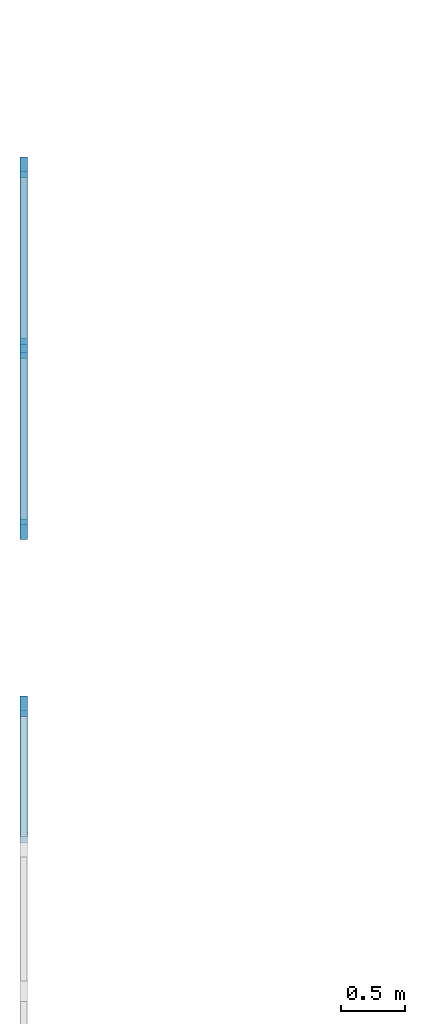
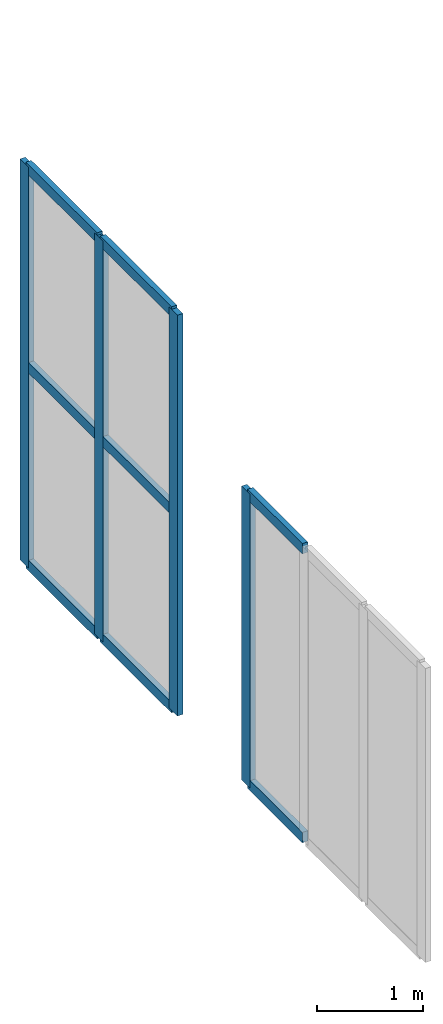
# One storey, part 3 of 31: 12 members, 2 elements without a shape of their own.
"""IFC4 building model written with IfcOpenShell, lengths in metres."""

from ifc_helpers import new_model, si_unit, direction, frame, origin, origin_2d, place, context, subcontext, project, spatial, rectangle, extrude, material, material_profile, profile_set, type_object, element, aggregate, save


model = new_model("IFC4")

# Units and contexts
model_context = context("Model", 3, precision=1e-05, world=origin(), true_north=direction((0.0, 1.0)))
body_context = subcontext(model_context, "Body", "Model", "MODEL_VIEW")
ifc_project = project(units=[si_unit("LENGTHUNIT", "METRE"), si_unit("AREAUNIT", "SQUARE_METRE"), si_unit("VOLUMEUNIT", "CUBIC_METRE"), si_unit("PLANEANGLEUNIT", "RADIAN"), si_unit("MASSUNIT", "GRAM", prefix="KILO")], contexts=[model_context])

# Site, building, storey
site_placement = place(None, origin())
site = spatial("IfcSite", under=ifc_project, at=site_placement, CompositionType="ELEMENT")
building_placement = place(site_placement, origin())
building = spatial("IfcBuilding", under=site, at=building_placement, Name="Vermilion Court Aquatics Centre", CompositionType="ELEMENT")
storey_placement = place(building_placement, frame((0.0, 0.0, 16.5)))
storey = spatial("IfcBuildingStorey", under=building, at=storey_placement, Name="L03", CompositionType="ELEMENT", Elevation=16.5)

# Curtain wall, member
ifc_material_1 = material(Name="Aluminium 6063-T5", Category="aluminium")
curtain_wall_type = type_object("IfcCurtainWallType", Name="Envelope curtain wall west gable upper runs", PredefinedType="NOTDEFINED", material=ifc_material_1)
curtain_wall_1_placement = place(storey_placement, origin())
curtain_wall_1 = element("IfcCurtainWall", 1, at=curtain_wall_1_placement, inside=storey, type_object=curtain_wall_type, Name="Gable glazing west 9.2", PredefinedType="NOTDEFINED")
ifc_material_2 = material(Name="Aluminium 6063-T5", Category="aluminium")
ifc_material_profile_1 = material_profile(ifc_material_2, rectangle(XDim=0.06005859375, YDim=0.159912109375, at=origin_2d()), Name="AL 60x160")
ifc_profile_set_1 = profile_set([ifc_material_profile_1], Name="Aluminium 6063-T5")
member_type_1 = type_object("IfcMemberType", Name="Envelope aluminium mullion 60x160", PredefinedType="MULLION", material=ifc_profile_set_1)
member_1_placement = place(storey_placement, frame((14.125, 54.35009765625, 0.0), z_axis=(0.0, 0.0, 1.0), x_axis=(-1.0, 0.0, 0.0)))
member_1 = element("IfcMember", 2, at=member_1_placement, type_object=member_type_1, Name="ECW4 mullion 4", PredefinedType="MULLION", context=body_context, shape_type="SweptSolid", body=[
    extrude(rectangle(XDim=0.06005859375, YDim=0.159912109375, at=origin_2d()), origin(), (0.0, 0.0, 1.0), 3.39990234375),
])

# Curtain wall, members
curtain_wall_2_placement = place(storey_placement, origin())
curtain_wall_2 = element("IfcCurtainWall", 3, at=curtain_wall_2_placement, inside=storey, type_object=curtain_wall_type, Name="Gable glazing west 10.2", PredefinedType="NOTDEFINED")
member_2_placement = place(storey_placement, frame((14.125, 55.72998046875, 0.0), z_axis=(0.0, 0.0, 1.0), x_axis=(-1.0, 0.0, 0.0)))
member_2 = element("IfcMember", 4, at=member_2_placement, type_object=member_type_1, Name="ECW4 mullion 1", PredefinedType="MULLION", context=body_context, shape_type="SweptSolid", body=[
    extrude(rectangle(XDim=0.06005859375, YDim=0.159912109375, at=origin_2d()), origin(), (0.0, 0.0, 1.0), 4.635009765625),
])
member_3_placement = place(storey_placement, frame((14.125, 57.139892578125, 0.0), z_axis=(0.0, 0.0, 1.0), x_axis=(-1.0, 0.0, 0.0)))
member_3 = element("IfcMember", 5, at=member_3_placement, type_object=member_type_1, Name="ECW4 mullion 2", PredefinedType="MULLION", context=body_context, shape_type="SweptSolid", body=[
    extrude(rectangle(XDim=0.06005859375, YDim=0.159912109375, at=origin_2d()), origin(), (0.0, 0.0, 1.0), 4.635009765625),
])
member_4_placement = place(storey_placement, frame((14.125, 58.550048828125, 0.0), z_axis=(0.0, 0.0, 1.0), x_axis=(-1.0, 0.0, 0.0)))
member_4 = element("IfcMember", 6, at=member_4_placement, type_object=member_type_1, Name="ECW4 mullion 3", PredefinedType="MULLION", context=body_context, shape_type="SweptSolid", body=[
    extrude(rectangle(XDim=0.06005859375, YDim=0.159912109375, at=origin_2d()), origin(), (0.0, 0.0, 1.0), 4.635009765625),
])

# Member
ifc_material_3 = material(Name="Aluminium 6063-T5", Category="aluminium")
ifc_material_profile_2 = material_profile(ifc_material_3, rectangle(XDim=0.06005859375, YDim=0.1201171875, at=origin_2d()), Name="AL 60x120")
ifc_profile_set_2 = profile_set([ifc_material_profile_2], Name="Aluminium 6063-T5")
member_type_2 = type_object("IfcMemberType", Name="Envelope aluminium transom 60x120", PredefinedType="USERDEFINED", material=ifc_profile_set_2)
member_5_placement = place(storey_placement, frame((14.125, 53.283447265625, 0.030029296875), z_axis=(0.0, 1.0, 0.0), x_axis=(-1.0, 0.0, 0.0)))
member_5 = element("IfcMember", 7, at=member_5_placement, type_object=member_type_2, Name="ECW4 transom 3.1", ObjectType="TRANSOM", PredefinedType="USERDEFINED", context=body_context, shape_type="SweptSolid", body=[
    extrude(rectangle(XDim=0.06005859375, YDim=0.1201171875, at=origin_2d()), origin(), (0.0, 0.0, 1.0), 1.03662109375),
])

member_6_placement = place(storey_placement, frame((14.125, 53.283447265625, 3.3701171875), z_axis=(0.0, 1.0, 0.0), x_axis=(-1.0, 0.0, 0.0)))
member_6 = element("IfcMember", 8, at=member_6_placement, type_object=member_type_2, Name="ECW4 transom 3.2", ObjectType="TRANSOM", PredefinedType="USERDEFINED", context=body_context, shape_type="SweptSolid", body=[
    extrude(rectangle(XDim=0.06005859375, YDim=0.1201171875, at=origin_2d()), origin(), (0.0, 0.0, 1.0), 1.03662109375),
])

aggregate(curtain_wall_1, [member_1, member_5, member_6])

member_7_placement = place(storey_placement, frame((14.125, 55.760009765625, 0.030029296875), z_axis=(0.0, 1.0, 0.0), x_axis=(-1.0, 0.0, 0.0)))
member_7 = element("IfcMember", 9, at=member_7_placement, type_object=member_type_2, Name="ECW4 transom 1.1", ObjectType="TRANSOM", PredefinedType="USERDEFINED", context=body_context, shape_type="SweptSolid", body=[
    extrude(rectangle(XDim=0.06005859375, YDim=0.1201171875, at=origin_2d()), origin(), (0.0, 0.0, 1.0), 1.35009765625),
])

member_8_placement = place(storey_placement, frame((14.125, 55.760009765625, 2.317626953125), z_axis=(0.0, 1.0, 0.0), x_axis=(-1.0, 0.0, 0.0)))
member_8 = element("IfcMember", 10, at=member_8_placement, type_object=member_type_2, Name="ECW4 transom 1.2", ObjectType="TRANSOM", PredefinedType="USERDEFINED", context=body_context, shape_type="SweptSolid", body=[
    extrude(rectangle(XDim=0.06005859375, YDim=0.1201171875, at=origin_2d()), origin(), (0.0, 0.0, 1.0), 1.35009765625),
])

member_9_placement = place(storey_placement, frame((14.125, 55.760009765625, 4.60498046875), z_axis=(0.0, 1.0, 0.0), x_axis=(-1.0, 0.0, 0.0)))
member_9 = element("IfcMember", 11, at=member_9_placement, type_object=member_type_2, Name="ECW4 transom 1.3", ObjectType="TRANSOM", PredefinedType="USERDEFINED", context=body_context, shape_type="SweptSolid", body=[
    extrude(rectangle(XDim=0.06005859375, YDim=0.1201171875, at=origin_2d()), origin(), (0.0, 0.0, 1.0), 1.35009765625),
])

member_10_placement = place(storey_placement, frame((14.125, 57.169921875, 0.030029296875), z_axis=(0.0, 1.0, 0.0), x_axis=(-1.0, 0.0, 0.0)))
member_10 = element("IfcMember", 12, at=member_10_placement, type_object=member_type_2, Name="ECW4 transom 2.1", ObjectType="TRANSOM", PredefinedType="USERDEFINED", context=body_context, shape_type="SweptSolid", body=[
    extrude(rectangle(XDim=0.06005859375, YDim=0.1201171875, at=origin_2d()), origin(), (0.0, 0.0, 1.0), 1.35009765625),
])

member_11_placement = place(storey_placement, frame((14.125, 57.169921875, 2.317626953125), z_axis=(0.0, 1.0, 0.0), x_axis=(-1.0, 0.0, 0.0)))
member_11 = element("IfcMember", 13, at=member_11_placement, type_object=member_type_2, Name="ECW4 transom 2.2", ObjectType="TRANSOM", PredefinedType="USERDEFINED", context=body_context, shape_type="SweptSolid", body=[
    extrude(rectangle(XDim=0.06005859375, YDim=0.1201171875, at=origin_2d()), origin(), (0.0, 0.0, 1.0), 1.35009765625),
])

member_12_placement = place(storey_placement, frame((14.125, 57.169921875, 4.60498046875), z_axis=(0.0, 1.0, 0.0), x_axis=(-1.0, 0.0, 0.0)))
member_12 = element("IfcMember", 14, at=member_12_placement, type_object=member_type_2, Name="ECW4 transom 2.3", ObjectType="TRANSOM", PredefinedType="USERDEFINED", context=body_context, shape_type="SweptSolid", body=[
    extrude(rectangle(XDim=0.06005859375, YDim=0.1201171875, at=origin_2d()), origin(), (0.0, 0.0, 1.0), 1.35009765625),
])

aggregate(curtain_wall_2, [member_2, member_3, member_4, member_7, member_8, member_9, member_10, member_11, member_12])

save(model, "model.ifc")
